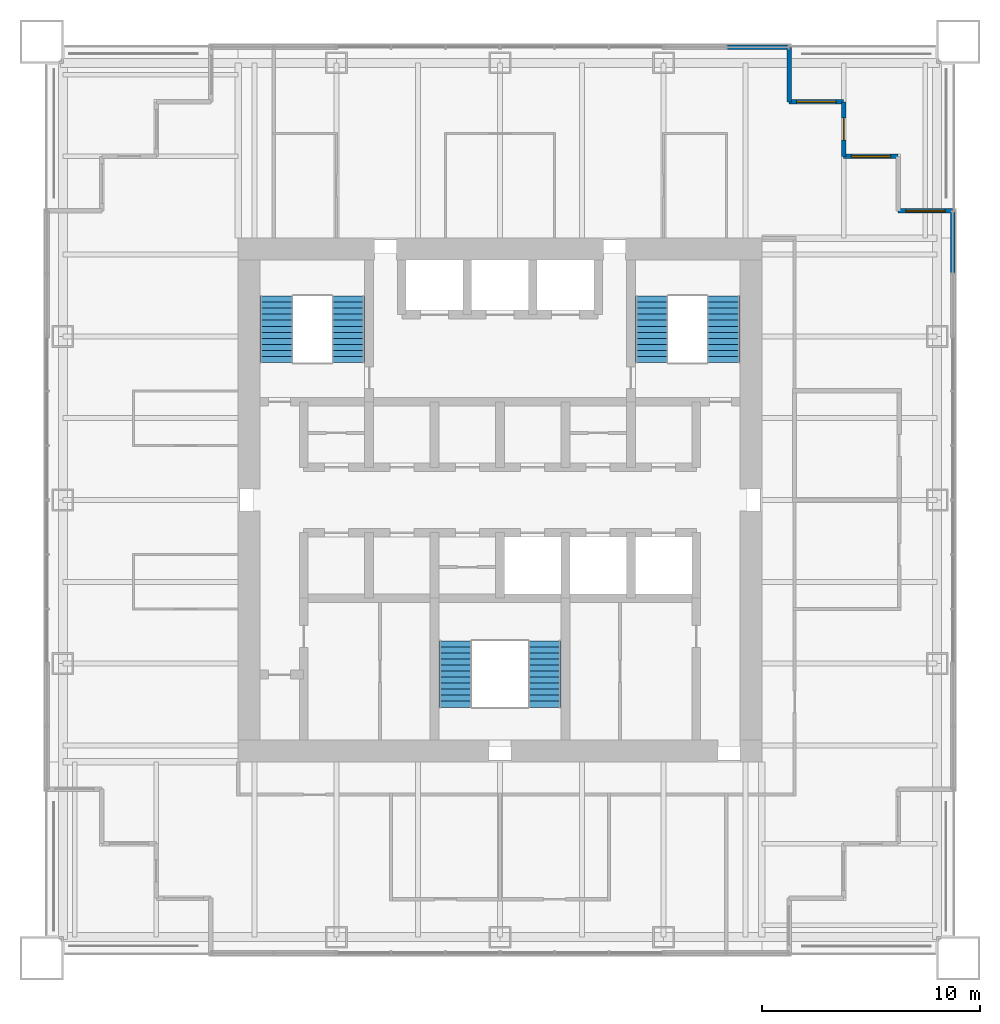
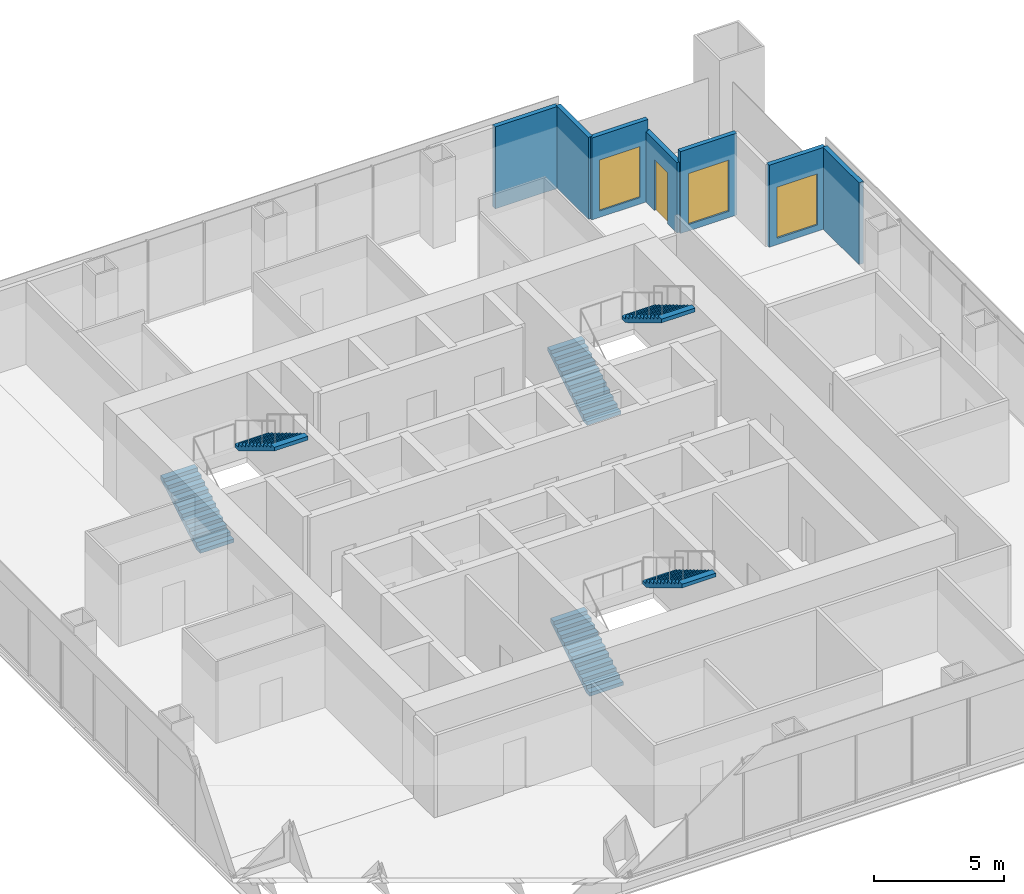
# One storey, part 12 of 14: 7 walls, 6 stair flights, 3 windows, 1 door, 4 openings, 3 elements without a shape of their own.
"""IFC4 building model written with IfcOpenShell, lengths in metres."""

from ifc_helpers import new_model, si_unit, direction, frame, frame_2d, origin, place, context, subcontext, project, spatial, polyline, rectangle, outline, extrude, material, layer, layer_set, type_object, element, fill, aggregate, save


model = new_model("IFC4")

# Units and contexts
model_context = context("Model", 3, precision=1e-05, world=origin(), true_north=direction((0.0, 1.0)))
body_context = subcontext(model_context, "Body", "Model", "MODEL_VIEW")
ifc_project = project(units=[si_unit("LENGTHUNIT", "METRE"), si_unit("AREAUNIT", "SQUARE_METRE"), si_unit("VOLUMEUNIT", "CUBIC_METRE"), si_unit("PLANEANGLEUNIT", "RADIAN"), si_unit("MASSUNIT", "GRAM", prefix="KILO")], contexts=[model_context])

# Site, building, storey
site_placement = place(None, origin())
site = spatial("IfcSite", under=ifc_project, at=site_placement, CompositionType="ELEMENT")
building_placement = place(site_placement, origin())
building = spatial("IfcBuilding", under=site, at=building_placement, Name="Tarangal Relay Tower", CompositionType="ELEMENT")
storey_placement = place(building_placement, frame((0.0, 0.0, 287.89990234375)))
storey = spatial("IfcBuildingStorey", under=building, at=storey_placement, Name="L63", CompositionType="ELEMENT", Elevation=287.89990234375)

# Wall
ifc_material_1 = material(Name="Black metal clad insulated wall", Category="steel")
ifc_layer_1 = layer(ifc_material_1, 0.199951171875)
ifc_layer_set_1 = layer_set([ifc_layer_1], Name="Corner wall metal clad 200")
wall_type_1 = type_object("IfcWallType", Name="Corner wall metal clad 200", PredefinedType="SOLIDWALL", material=ifc_layer_set_1)
wall_1_placement = place(storey_placement, frame((13.25, 20.75, 0.0), z_axis=(0.0, 0.0, 1.0), x_axis=(0.0, -1.0, 0.0)))
element("IfcWall", 1, at=wall_1_placement, inside=storey, type_object=wall_type_1, Name="Facade wall N facade L63", PredefinedType="SOLIDWALL", context=body_context, shape_type="SweptSolid", body=[
    extrude(rectangle(XDim=2.5, YDim=0.199951171875, at=frame_2d((1.25, 0.0))), origin(), (0.0, 0.0, 1.0), 3.85009765625),
])

# Wall, opening, window
wall_2_placement = place(storey_placement, frame((13.25, 18.25, 0.0), z_axis=(0.0, 0.0, 1.0), x_axis=(1.0, 0.0, 0.0)))
wall_2 = element("IfcWall", 2, at=wall_2_placement, inside=storey, type_object=wall_type_1, Name="Facade wall N facade L63", PredefinedType="SOLIDWALL", context=body_context, shape_type="SweptSolid", body=[
    extrude(rectangle(XDim=2.5, YDim=0.199951171875, at=frame_2d((1.25, 0.0))), origin(), (0.0, 0.0, 1.0), 3.85009765625),
])
opening_1_placement = place(wall_2_placement, frame((0.35009765625, 0.0, 0.300048828125)))
opening_1 = element("IfcOpeningElement", 3, at=opening_1_placement, cuts=wall_2, Name="Opening WN2", PredefinedType="OPENING", context=body_context, shape_type="SweptSolid", body=[
    extrude(rectangle(XDim=1.800048828125, YDim=2.39990234375, at=frame_2d((0.89990234375, 1.199951171875))), frame((0.0, 0.10986328125, 0.0), z_axis=(0.0, -1.0, 0.0), x_axis=(1.0, 0.0, 0.0)), (0.0, 0.0, 1.0), 0.219970703125),
])
ifc_material_2 = material(Name="Dark tinted double glazing in black aluminium frame", Category="aluminium")
window_type = type_object("IfcWindowType", Name="Corner window 1800 x 2400", PartitioningType="SINGLE_PANEL", PredefinedType="WINDOW", material=ifc_material_2)
window_1_placement = place(opening_1_placement, origin())
window_1 = element("IfcWindow", 4, at=window_1_placement, inside=storey, type_object=window_type, Name="Corner window WN2 N facade L63", OverallHeight=2.39990234375, OverallWidth=1.800048828125, PartitioningType="SINGLE_PANEL", PredefinedType="WINDOW", context=body_context, shape_type="SweptSolid", body=[
    extrude(rectangle(XDim=1.800048828125, YDim=2.39990234375, at=frame_2d((0.89990234375, 1.199951171875))), frame((0.0, 0.030029296875, 0.0), z_axis=(0.0, -1.0, 0.0), x_axis=(1.0, 0.0, 0.0)), (0.0, 0.0, 1.0), 0.06005859375),
])
fill(opening_1, window_1)

# Wall, opening, door
wall_3_placement = place(storey_placement, frame((15.75, 18.25, 0.0), z_axis=(0.0, 0.0, 1.0), x_axis=(0.0, -1.0, 0.0)))
wall_3 = element("IfcWall", 5, at=wall_3_placement, inside=storey, type_object=wall_type_1, Name="Facade wall N facade L63", PredefinedType="SOLIDWALL", context=body_context, shape_type="SweptSolid", body=[
    extrude(rectangle(XDim=2.5, YDim=0.199951171875, at=frame_2d((1.25, 0.0))), origin(), (0.0, 0.0, 1.0), 3.316650390625),
])
opening_2_placement = place(wall_3_placement, frame((0.75, 0.0, 0.0)))
opening_2 = element("IfcOpeningElement", 6, at=opening_2_placement, cuts=wall_3, Name="Opening TD1", PredefinedType="OPENING", context=body_context, shape_type="SweptSolid", body=[
    extrude(rectangle(XDim=1.0, YDim=2.39990234375, at=frame_2d((0.5, 1.199951171875))), frame((0.0, 0.10986328125, 0.0), z_axis=(0.0, -1.0, 0.0), x_axis=(1.0, 0.0, 0.0)), (0.0, 0.0, 1.0), 0.219970703125),
])
ifc_material_3 = material(Name="Aluminium glazed door", Category="aluminium")
door_type = type_object("IfcDoorType", Name="Terrace door 1000 x 2400", OperationType="SINGLE_SWING_RIGHT", PredefinedType="DOOR", material=ifc_material_3)
door_placement = place(opening_2_placement, origin())
door = element("IfcDoor", 7, at=door_placement, inside=storey, type_object=door_type, Name="Terrace door TD1 NE L63", OperationType="SINGLE_SWING_RIGHT", OverallHeight=2.39990234375, OverallWidth=1.0, PredefinedType="DOOR", context=body_context, shape_type="SweptSolid", body=[
    extrude(rectangle(XDim=1.0, YDim=2.39990234375, at=frame_2d((0.5, 1.199951171875))), frame((0.0, 0.02490234375, 0.0), z_axis=(0.0, -1.0, 0.0), x_axis=(1.0, 0.0, 0.0)), (0.0, 0.0, 1.0), 0.050048828125),
])
fill(opening_2, door)

# Wall, opening, window
wall_4_placement = place(storey_placement, frame((15.75, 15.75, 0.0), z_axis=(0.0, 0.0, 1.0), x_axis=(1.0, 0.0, 0.0)))
wall_4 = element("IfcWall", 8, at=wall_4_placement, inside=storey, type_object=wall_type_1, Name="Facade wall N facade L63", PredefinedType="SOLIDWALL", context=body_context, shape_type="SweptSolid", body=[
    extrude(rectangle(XDim=2.5, YDim=0.199951171875, at=frame_2d((1.25, 0.0))), origin(), (0.0, 0.0, 1.0), 3.85009765625),
])
opening_3_placement = place(wall_4_placement, frame((0.35009765625, 0.0, 0.300048828125)))
opening_3 = element("IfcOpeningElement", 9, at=opening_3_placement, cuts=wall_4, Name="Opening WN2", PredefinedType="OPENING", context=body_context, shape_type="SweptSolid", body=[
    extrude(rectangle(XDim=1.800048828125, YDim=2.39990234375, at=frame_2d((0.89990234375, 1.199951171875))), frame((0.0, 0.10986328125, 0.0), z_axis=(0.0, -1.0, 0.0), x_axis=(1.0, 0.0, 0.0)), (0.0, 0.0, 1.0), 0.219970703125),
])
window_2_placement = place(opening_3_placement, origin())
window_2 = element("IfcWindow", 10, at=window_2_placement, inside=storey, type_object=window_type, Name="Corner window WN2 N facade L63", OverallHeight=2.39990234375, OverallWidth=1.800048828125, PartitioningType="SINGLE_PANEL", PredefinedType="WINDOW", context=body_context, shape_type="SweptSolid", body=[
    extrude(rectangle(XDim=1.800048828125, YDim=2.39990234375, at=frame_2d((0.89990234375, 1.199951171875))), frame((0.0, 0.030029296875, 0.0), z_axis=(0.0, -1.0, 0.0), x_axis=(1.0, 0.0, 0.0)), (0.0, 0.0, 1.0), 0.06005859375),
])
fill(opening_3, window_2)

wall_5_placement = place(storey_placement, frame((18.25, 13.25, 0.0), z_axis=(0.0, 0.0, 1.0), x_axis=(1.0, 0.0, 0.0)))
wall_5 = element("IfcWall", 11, at=wall_5_placement, inside=storey, type_object=wall_type_1, Name="Facade wall N facade L63", PredefinedType="SOLIDWALL", context=body_context, shape_type="SweptSolid", body=[
    extrude(rectangle(XDim=2.5, YDim=0.199951171875, at=frame_2d((1.25, 0.0))), origin(), (0.0, 0.0, 1.0), 3.85009765625),
])
opening_4_placement = place(wall_5_placement, frame((0.35009765625, 0.0, 0.300048828125)))
opening_4 = element("IfcOpeningElement", 12, at=opening_4_placement, cuts=wall_5, Name="Opening WN2", PredefinedType="OPENING", context=body_context, shape_type="SweptSolid", body=[
    extrude(rectangle(XDim=1.800048828125, YDim=2.39990234375, at=frame_2d((0.89990234375, 1.199951171875))), frame((0.0, 0.10986328125, 0.0), z_axis=(0.0, -1.0, 0.0), x_axis=(1.0, 0.0, 0.0)), (0.0, 0.0, 1.0), 0.219970703125),
])
window_3_placement = place(opening_4_placement, origin())
window_3 = element("IfcWindow", 13, at=window_3_placement, inside=storey, type_object=window_type, Name="Corner window WN2 N facade L63", OverallHeight=2.39990234375, OverallWidth=1.800048828125, PartitioningType="SINGLE_PANEL", PredefinedType="WINDOW", context=body_context, shape_type="SweptSolid", body=[
    extrude(rectangle(XDim=1.800048828125, YDim=2.39990234375, at=frame_2d((0.89990234375, 1.199951171875))), frame((0.0, 0.030029296875, 0.0), z_axis=(0.0, -1.0, 0.0), x_axis=(1.0, 0.0, 0.0)), (0.0, 0.0, 1.0), 0.06005859375),
])
fill(opening_4, window_3)

# Walls
ifc_layer_2 = layer(ifc_material_1, 0.199951171875)
ifc_layer_set_2 = layer_set([ifc_layer_2], Name="Facade infill wall metal clad 200")
wall_type_2 = type_object("IfcWallType", Name="Facade infill wall metal clad 200", PredefinedType="SOLIDWALL", material=ifc_layer_set_2)
for number, where, z_axis, x_axis, name in (
    (14, (10.405029296875, 20.75, 0.0), (0.0, 0.0, 1.0), (1.0, 0.0, 0.0), "Facade infill wall N facade L63 2.1"),
    (15, (20.75, 13.18994140625, 0.0), (0.0, 0.0, 1.0), (0.0, -1.0, 0.0), "Facade infill wall E facade L63 1.1"),
):
    element("IfcWall", number, at=place(storey_placement, frame(where, z_axis=z_axis, x_axis=x_axis)), inside=storey, type_object=wall_type_2, Name=name, PredefinedType="SOLIDWALL", context=body_context, shape_type="SweptSolid", body=[
        extrude(rectangle(XDim=2.784912109375, YDim=0.199951171875, at=frame_2d((1.392578125, 0.0))), origin(), (0.0, 0.0, 1.0), 3.85009765625),
    ])

# Stair, stair flights
ifc_material_4 = material(Name="Steel ASTM A992 stair flight", Category="steel")
stair_type = type_object("IfcStairType", Name="Core stair 1500", PredefinedType="HALF_TURN_STAIR", material=ifc_material_4)
stair_1_placement = place(storey_placement, origin())
stair_1 = element("IfcStair", 16, at=stair_1_placement, inside=storey, type_object=stair_type, Name="Stair ST-A L63", PredefinedType="HALF_TURN_STAIR")
stair_flight_type = type_object("IfcStairFlightType", Name="Steel stair flight 1500, 12 risers 167 x 277", PredefinedType="STRAIGHT", material=ifc_material_4)
stair_flight_1_placement = place(storey_placement, frame((-10.25, 6.300048828125, 0.0), z_axis=(0.0, 0.0, 1.0), x_axis=(0.0, 1.0, 0.0)))
stair_flight_1 = element("IfcStairFlight", 17, at=stair_flight_1_placement, type_object=stair_flight_type, Name="ST-A flight 1", NumberOfRisers=12, NumberOfTreads=11, PredefinedType="STRAIGHT", RiserHeight=0.166666667, TreadLength=0.277, context=body_context, shape_type="SweptSolid", body=[
    extrude(outline(polyline([(0.0, 0.0), (0.0, 0.166748046875), (0.277099609375, 0.166748046875), (0.277099609375, 0.333251953125), (0.553955078125, 0.333251953125), (0.553955078125, 0.5), (0.8310546875, 0.5), (0.8310546875, 0.666748046875), (1.10791015625, 0.666748046875), (1.10791015625, 0.833251953125), (1.385009765625, 0.833251953125), (1.385009765625, 1.0), (1.662109375, 1.0), (1.662109375, 1.166748046875), (1.93896484375, 1.166748046875), (1.93896484375, 1.333251953125), (2.216064453125, 1.333251953125), (2.216064453125, 1.5), (2.492919921875, 1.5), (2.492919921875, 1.666748046875), (2.77001953125, 1.666748046875), (2.77001953125, 1.833251953125), (3.047119140625, 1.833251953125), (3.047119140625, 2.0), (3.047119140625, 1.658447265625), (0.290771484375, 0.0), (0.0, 0.0)])), frame((0.0, 0.75, 0.0), z_axis=(0.0, -1.0, 0.0), x_axis=(1.0, 0.0, 0.0)), (0.0, 0.0, 1.0), 1.5),
])
stair_flight_2_placement = place(storey_placement, frame((-6.949951171875, 9.346923828125, 2.0), z_axis=(0.0, 0.0, 1.0), x_axis=(0.0, -1.0, 0.0)))
stair_flight_2 = element("IfcStairFlight", 18, at=stair_flight_2_placement, type_object=stair_flight_type, Name="ST-A flight 2", NumberOfRisers=12, NumberOfTreads=11, PredefinedType="STRAIGHT", RiserHeight=0.166666667, TreadLength=0.277, context=body_context, shape_type="SweptSolid", body=[
    extrude(outline(polyline([(0.0, 0.0), (0.0, 0.166748046875), (0.277099609375, 0.166748046875), (0.277099609375, 0.333251953125), (0.553955078125, 0.333251953125), (0.553955078125, 0.5), (0.8310546875, 0.5), (0.8310546875, 0.666748046875), (1.10791015625, 0.666748046875), (1.10791015625, 0.833251953125), (1.385009765625, 0.833251953125), (1.385009765625, 1.0), (1.662109375, 1.0), (1.662109375, 1.166748046875), (1.93896484375, 1.166748046875), (1.93896484375, 1.333251953125), (2.216064453125, 1.333251953125), (2.216064453125, 1.5), (2.492919921875, 1.5), (2.492919921875, 1.666748046875), (2.77001953125, 1.666748046875), (2.77001953125, 1.833251953125), (3.047119140625, 1.833251953125), (3.047119140625, 2.0), (3.047119140625, 1.658447265625), (0.290771484375, 0.0), (0.0, 0.0)])), frame((0.0, 0.75, 0.0), z_axis=(0.0, -1.0, 0.0), x_axis=(1.0, 0.0, 0.0)), (0.0, 0.0, 1.0), 1.5),
])
aggregate(stair_1, [stair_flight_1, stair_flight_2])

stair_2_placement = place(storey_placement, origin())
stair_2 = element("IfcStair", 19, at=stair_2_placement, inside=storey, type_object=stair_type, Name="Stair ST-B L63", PredefinedType="HALF_TURN_STAIR")
stair_flight_3_placement = place(storey_placement, frame((6.949951171875, 6.300048828125, 0.0), z_axis=(0.0, 0.0, 1.0), x_axis=(0.0, 1.0, 0.0)))
stair_flight_3 = element("IfcStairFlight", 20, at=stair_flight_3_placement, type_object=stair_flight_type, Name="ST-B flight 1", NumberOfRisers=12, NumberOfTreads=11, PredefinedType="STRAIGHT", RiserHeight=0.166666667, TreadLength=0.277, context=body_context, shape_type="SweptSolid", body=[
    extrude(outline(polyline([(0.0, 0.0), (0.0, 0.166748046875), (0.277099609375, 0.166748046875), (0.277099609375, 0.333251953125), (0.553955078125, 0.333251953125), (0.553955078125, 0.5), (0.8310546875, 0.5), (0.8310546875, 0.666748046875), (1.10791015625, 0.666748046875), (1.10791015625, 0.833251953125), (1.385009765625, 0.833251953125), (1.385009765625, 1.0), (1.662109375, 1.0), (1.662109375, 1.166748046875), (1.93896484375, 1.166748046875), (1.93896484375, 1.333251953125), (2.216064453125, 1.333251953125), (2.216064453125, 1.5), (2.492919921875, 1.5), (2.492919921875, 1.666748046875), (2.77001953125, 1.666748046875), (2.77001953125, 1.833251953125), (3.047119140625, 1.833251953125), (3.047119140625, 2.0), (3.047119140625, 1.658447265625), (0.290771484375, 0.0), (0.0, 0.0)])), frame((0.0, 0.75, 0.0), z_axis=(0.0, -1.0, 0.0), x_axis=(1.0, 0.0, 0.0)), (0.0, 0.0, 1.0), 1.5),
])
stair_flight_4_placement = place(storey_placement, frame((10.25, 9.346923828125, 2.0), z_axis=(0.0, 0.0, 1.0), x_axis=(0.0, -1.0, 0.0)))
stair_flight_4 = element("IfcStairFlight", 21, at=stair_flight_4_placement, type_object=stair_flight_type, Name="ST-B flight 2", NumberOfRisers=12, NumberOfTreads=11, PredefinedType="STRAIGHT", RiserHeight=0.166666667, TreadLength=0.277, context=body_context, shape_type="SweptSolid", body=[
    extrude(outline(polyline([(0.0, 0.0), (0.0, 0.166748046875), (0.277099609375, 0.166748046875), (0.277099609375, 0.333251953125), (0.553955078125, 0.333251953125), (0.553955078125, 0.5), (0.8310546875, 0.5), (0.8310546875, 0.666748046875), (1.10791015625, 0.666748046875), (1.10791015625, 0.833251953125), (1.385009765625, 0.833251953125), (1.385009765625, 1.0), (1.662109375, 1.0), (1.662109375, 1.166748046875), (1.93896484375, 1.166748046875), (1.93896484375, 1.333251953125), (2.216064453125, 1.333251953125), (2.216064453125, 1.5), (2.492919921875, 1.5), (2.492919921875, 1.666748046875), (2.77001953125, 1.666748046875), (2.77001953125, 1.833251953125), (3.047119140625, 1.833251953125), (3.047119140625, 2.0), (3.047119140625, 1.658447265625), (0.290771484375, 0.0), (0.0, 0.0)])), frame((0.0, 0.75, 0.0), z_axis=(0.0, -1.0, 0.0), x_axis=(1.0, 0.0, 0.0)), (0.0, 0.0, 1.0), 1.5),
])
aggregate(stair_2, [stair_flight_3, stair_flight_4])

stair_3_placement = place(storey_placement, origin())
stair_3 = element("IfcStair", 22, at=stair_3_placement, inside=storey, type_object=stair_type, Name="Stair ST-C L63", PredefinedType="HALF_TURN_STAIR")
stair_flight_5_placement = place(storey_placement, frame((-2.050048828125, -9.5, 0.0), z_axis=(0.0, 0.0, 1.0), x_axis=(0.0, 1.0, 0.0)))
stair_flight_5 = element("IfcStairFlight", 23, at=stair_flight_5_placement, type_object=stair_flight_type, Name="ST-C flight 1", NumberOfRisers=12, NumberOfTreads=11, PredefinedType="STRAIGHT", RiserHeight=0.166666667, TreadLength=0.277, context=body_context, shape_type="SweptSolid", body=[
    extrude(outline(polyline([(0.0, 0.0), (0.0, 0.166748046875), (0.277099609375, 0.166748046875), (0.277099609375, 0.333251953125), (0.553955078125, 0.333251953125), (0.553955078125, 0.5), (0.8310546875, 0.5), (0.8310546875, 0.666748046875), (1.10791015625, 0.666748046875), (1.10791015625, 0.833251953125), (1.385009765625, 0.833251953125), (1.385009765625, 1.0), (1.662109375, 1.0), (1.662109375, 1.166748046875), (1.93896484375, 1.166748046875), (1.93896484375, 1.333251953125), (2.216064453125, 1.333251953125), (2.216064453125, 1.5), (2.492919921875, 1.5), (2.492919921875, 1.666748046875), (2.77001953125, 1.666748046875), (2.77001953125, 1.833251953125), (3.047119140625, 1.833251953125), (3.047119140625, 2.0), (3.047119140625, 1.658447265625), (0.290771484375, 0.0), (0.0, 0.0)])), frame((0.0, 0.75, 0.0), z_axis=(0.0, -1.0, 0.0), x_axis=(1.0, 0.0, 0.0)), (0.0, 0.0, 1.0), 1.5),
])
stair_flight_6_placement = place(storey_placement, frame((2.050048828125, -6.452880859375, 2.0), z_axis=(0.0, 0.0, 1.0), x_axis=(0.0, -1.0, 0.0)))
stair_flight_6 = element("IfcStairFlight", 24, at=stair_flight_6_placement, type_object=stair_flight_type, Name="ST-C flight 2", NumberOfRisers=12, NumberOfTreads=11, PredefinedType="STRAIGHT", RiserHeight=0.166666667, TreadLength=0.277, context=body_context, shape_type="SweptSolid", body=[
    extrude(outline(polyline([(0.0, 0.0), (0.0, 0.166748046875), (0.277099609375, 0.166748046875), (0.277099609375, 0.333251953125), (0.553955078125, 0.333251953125), (0.553955078125, 0.5), (0.8310546875, 0.5), (0.8310546875, 0.666748046875), (1.10791015625, 0.666748046875), (1.10791015625, 0.833251953125), (1.385009765625, 0.833251953125), (1.385009765625, 1.0), (1.662109375, 1.0), (1.662109375, 1.166748046875), (1.93896484375, 1.166748046875), (1.93896484375, 1.333251953125), (2.216064453125, 1.333251953125), (2.216064453125, 1.5), (2.492919921875, 1.5), (2.492919921875, 1.666748046875), (2.77001953125, 1.666748046875), (2.77001953125, 1.833251953125), (3.047119140625, 1.833251953125), (3.047119140625, 2.0), (3.047119140625, 1.658447265625), (0.290771484375, 0.0), (0.0, 0.0)])), frame((0.0, 0.75, 0.0), z_axis=(0.0, -1.0, 0.0), x_axis=(1.0, 0.0, 0.0)), (0.0, 0.0, 1.0), 1.5),
])
aggregate(stair_3, [stair_flight_5, stair_flight_6])

save(model, "model.ifc")
